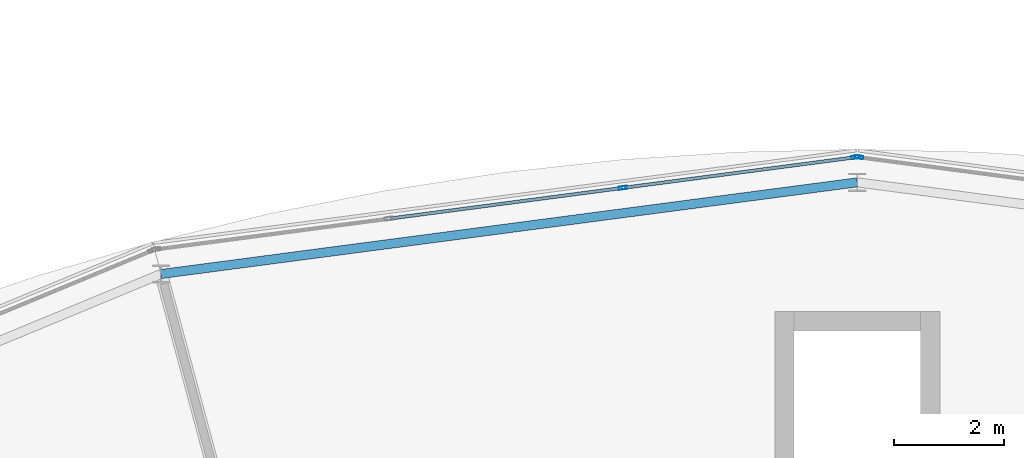
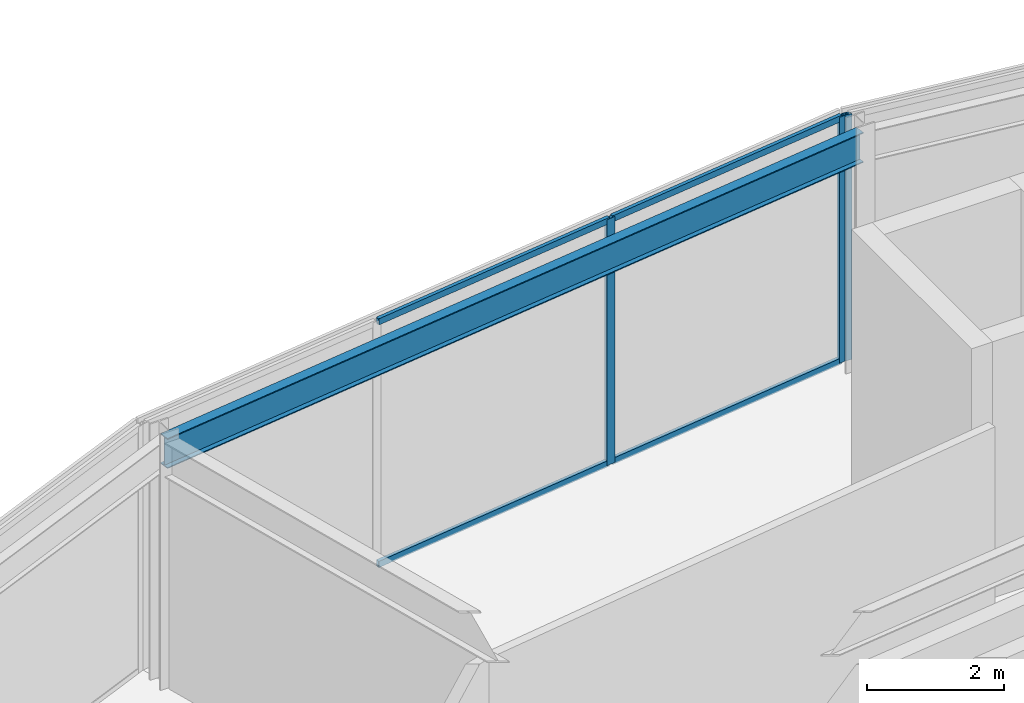
# One storey, part 77 of 133: 7 members, 1 beam, 2 elements without a shape of their own.
"""IFC4 building model written with IfcOpenShell, lengths in metres."""

from ifc_helpers import new_model, si_unit, direction, frame, origin, origin_2d, place, context, subcontext, project, spatial, hollow_rectangle, i_section, extrude, material, material_profile, profile_set, type_object, element, aggregate, save


model = new_model("IFC4")

# Units and contexts
model_context = context("Model", 3, precision=1e-05, world=origin(), true_north=direction((0.0, 1.0)))
body_context = subcontext(model_context, "Body", "Model", "MODEL_VIEW")
ifc_project = project(units=[si_unit("LENGTHUNIT", "METRE"), si_unit("AREAUNIT", "SQUARE_METRE"), si_unit("VOLUMEUNIT", "CUBIC_METRE"), si_unit("PLANEANGLEUNIT", "RADIAN"), si_unit("MASSUNIT", "GRAM", prefix="KILO")], contexts=[model_context])

# Site, building, storey
site_placement = place(None, origin())
site = spatial("IfcSite", under=ifc_project, at=site_placement, CompositionType="ELEMENT")
building_placement = place(site_placement, origin())
building = spatial("IfcBuilding", under=site, at=building_placement, Name="Almandine Court Research Institute", CompositionType="ELEMENT")
storey_placement = place(building_placement, frame((0.0, 0.0, 9.800048828125)))
storey = spatial("IfcBuildingStorey", under=building, at=storey_placement, Name="L02", CompositionType="ELEMENT", Elevation=9.800048828125)

# Beam
ifc_material_1 = material(Name="Steel ASTM A992 Grade 50", Category="steel")
ifc_material_profile_1 = material_profile(ifc_material_1, i_section(OverallWidth=0.166015625, OverallDepth=0.534912109375, WebThickness=0.010009765625, FlangeThickness=0.01708984375, at=origin_2d()), Name="W530x85")
ifc_profile_set_1 = profile_set([ifc_material_profile_1], Name="Steel ASTM A992 Grade 50")
beam_type = type_object("IfcBeamType", Name="Beam-G-05-E", PredefinedType="SPANDREL", material=ifc_profile_set_1)
beam_placement = place(storey_placement, frame((87.0, 104.89990234375, 4.10205078125), z_axis=(-0.991446677504, -0.130512396599, 0.0), x_axis=(0.130512396599, -0.991446677504, 0.0)))
element("IfcBeam", 1, at=beam_placement, inside=storey, type_object=beam_type, Name="L02 Drum OUT Ring Beam 06", PredefinedType="SPANDREL", context=body_context, shape_type="SweptSolid", body=[
    extrude(i_section(OverallWidth=0.166015625, OverallDepth=0.534912109375, WebThickness=0.010009765625, FlangeThickness=0.01708984375, at=origin_2d()), origin(), (0.0, 0.0, 1.0), 12.76513671875),
])

# Curtain wall, member
ifc_material_2 = material(Name="Unitised Curtain Wall Framing and Solar Glazing", Category="glass")
curtain_wall_type = type_object("IfcCurtainWallType", Name="CW-CWG-20", PredefinedType="USERDEFINED", material=ifc_material_2)
curtain_wall_1_placement = place(storey_placement, origin())
curtain_wall_1 = element("IfcCurtainWall", 2, at=curtain_wall_1_placement, inside=storey, type_object=curtain_wall_type, Name="L02 Stacked-Ring Drum Outer Unitised Glazing 05", ObjectType="UNITISED GLAZING", PredefinedType="USERDEFINED")
ifc_material_3 = material(Name="Anodised Aluminium AW-6063-T6", Category="aluminium")
ifc_material_profile_2 = material_profile(ifc_material_3, hollow_rectangle(XDim=0.06005859375, YDim=0.14990234375, WallThickness=0.00390625, at=origin_2d()), Name="ALU RHS 60x150x4")
ifc_profile_set_2 = profile_set([ifc_material_profile_2], Name="Anodised Aluminium AW-6063-T6")
member_type_1 = type_object("IfcMemberType", Name="CWMul-60x150", PredefinedType="MULLION", material=ifc_profile_set_2)
member_1_placement = place(storey_placement, frame((87.03369140625, 105.356201171875, 0.0), z_axis=(0.0, 0.0, 1.0), x_axis=(0.130540891259, 0.991442926098, 0.0)))
member_1 = element("IfcMember", 3, at=member_1_placement, type_object=member_type_1, Name="CWG-20 mullion 1", PredefinedType="MULLION", context=body_context, shape_type="SweptSolid", body=[
    extrude(hollow_rectangle(XDim=0.06005859375, YDim=0.14990234375, WallThickness=0.00390625, at=origin_2d()), origin(), (0.0, 0.0, 1.0), 4.369873046875),
])
aggregate(curtain_wall_1, [member_1])

# Curtain wall, members
curtain_wall_2_placement = place(storey_placement, origin())
curtain_wall_2 = element("IfcCurtainWall", 4, at=curtain_wall_2_placement, inside=storey, type_object=curtain_wall_type, Name="L02 Stacked-Ring Drum Outer Unitised Glazing 06", ObjectType="UNITISED GLAZING", PredefinedType="USERDEFINED")
member_2_placement = place(storey_placement, frame((82.740234375, 104.799560546875, 0.0), z_axis=(0.0, 0.0, 1.0), x_axis=(-0.130540891259, 0.991442926098, 0.0)))
member_2 = element("IfcMember", 5, at=member_2_placement, type_object=member_type_1, Name="CWG-20 mullion 3", PredefinedType="MULLION", context=body_context, shape_type="SweptSolid", body=[
    extrude(hollow_rectangle(XDim=0.06005859375, YDim=0.14990234375, WallThickness=0.00390625, at=origin_2d()), origin(), (0.0, 0.0, 1.0), 4.369873046875),
])
member_3_placement = place(storey_placement, frame((86.96630859375, 105.356201171875, 0.0), z_axis=(0.0, 0.0, 1.0), x_axis=(-0.130540891259, 0.991442926098, 0.0)))
member_3 = element("IfcMember", 6, at=member_3_placement, type_object=member_type_1, Name="CWG-20 mullion 4", PredefinedType="MULLION", context=body_context, shape_type="SweptSolid", body=[
    extrude(hollow_rectangle(XDim=0.06005859375, YDim=0.14990234375, WallThickness=0.00390625, at=origin_2d()), origin(), (0.0, 0.0, 1.0), 4.369873046875),
])
ifc_material_profile_3 = material_profile(ifc_material_3, hollow_rectangle(XDim=0.06005859375, YDim=0.110107421875, WallThickness=0.00390625, at=origin_2d()), Name="ALU RHS 60x110x4")
ifc_profile_set_3 = profile_set([ifc_material_profile_3], Name="Anodised Aluminium AW-6063-T6")
member_type_2 = type_object("IfcMemberType", Name="CWTrn-60x110", PredefinedType="NOTDEFINED", material=ifc_profile_set_3)
member_4_placement = place(storey_placement, frame((78.514404296875, 104.2431640625, 0.030029296875), z_axis=(0.991443690345, 0.130535086761, 0.0), x_axis=(-0.130535086761, 0.991443690345, 0.0)))
member_4 = element("IfcMember", 7, at=member_4_placement, type_object=member_type_2, Name="CWG-20 transom 2.1", ObjectType="TRANSOM", PredefinedType="USERDEFINED", context=body_context, shape_type="SweptSolid", body=[
    extrude(hollow_rectangle(XDim=0.06005859375, YDim=0.110107421875, WallThickness=0.00390625, at=origin_2d()), origin(), (0.0, 0.0, 1.0), 4.232421875),
])
member_5_placement = place(storey_placement, frame((78.514404296875, 104.2431640625, 4.33984375), z_axis=(0.991443690345, 0.130535086761, 0.0), x_axis=(-0.130535086761, 0.991443690345, 0.0)))
member_5 = element("IfcMember", 8, at=member_5_placement, type_object=member_type_2, Name="CWG-20 transom 2.2", ObjectType="TRANSOM", PredefinedType="USERDEFINED", context=body_context, shape_type="SweptSolid", body=[
    extrude(hollow_rectangle(XDim=0.06005859375, YDim=0.110107421875, WallThickness=0.00390625, at=origin_2d()), origin(), (0.0, 0.0, 1.0), 4.232421875),
])
member_6_placement = place(storey_placement, frame((82.77001953125, 104.803466796875, 0.030029296875), z_axis=(0.991443218791, 0.130538668266, 0.0), x_axis=(-0.130538668266, 0.991443218791, 0.0)))
member_6 = element("IfcMember", 9, at=member_6_placement, type_object=member_type_2, Name="CWG-20 transom 3.1", ObjectType="TRANSOM", PredefinedType="USERDEFINED", context=body_context, shape_type="SweptSolid", body=[
    extrude(hollow_rectangle(XDim=0.06005859375, YDim=0.110107421875, WallThickness=0.00390625, at=origin_2d()), origin(), (0.0, 0.0, 1.0), 4.202392578125),
])
member_7_placement = place(storey_placement, frame((82.77001953125, 104.803466796875, 4.33984375), z_axis=(0.991443218791, 0.130538668266, 0.0), x_axis=(-0.130538668266, 0.991443218791, 0.0)))
member_7 = element("IfcMember", 10, at=member_7_placement, type_object=member_type_2, Name="CWG-20 transom 3.2", ObjectType="TRANSOM", PredefinedType="USERDEFINED", context=body_context, shape_type="SweptSolid", body=[
    extrude(hollow_rectangle(XDim=0.06005859375, YDim=0.110107421875, WallThickness=0.00390625, at=origin_2d()), origin(), (0.0, 0.0, 1.0), 4.202392578125),
])
aggregate(curtain_wall_2, [member_2, member_3, member_4, member_5, member_6, member_7])

save(model, "model.ifc")
